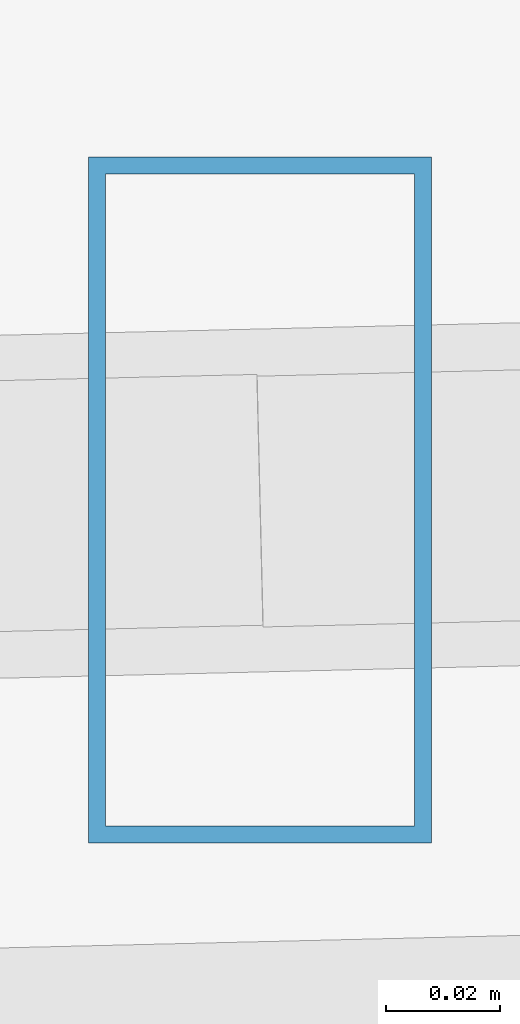
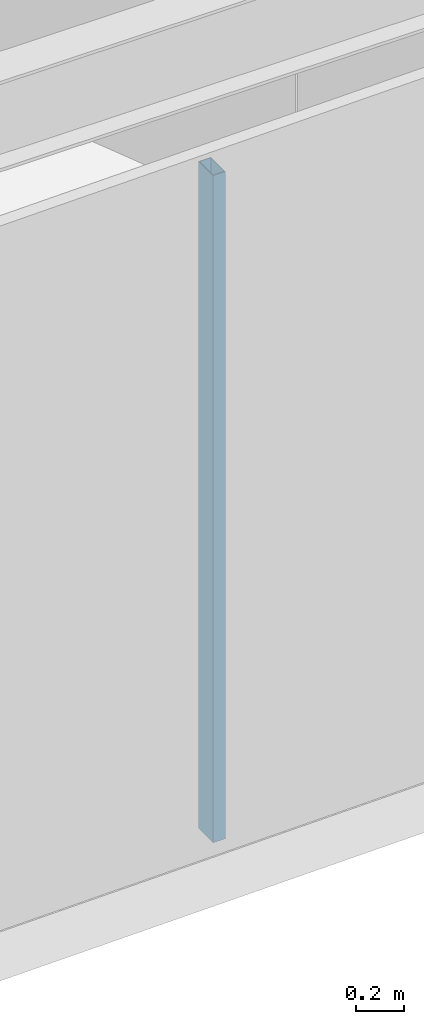
# One storey, part 13 of 48: 1 member, 1 element without a shape of its own.
"""IFC4 building model written with IfcOpenShell, lengths in metres."""

from ifc_helpers import new_model, si_unit, direction, frame, origin, origin_2d, place, context, subcontext, project, spatial, hollow_rectangle, extrude, source, transform, mapped, material, material_profile, profile_set, type_object, type_shapes, element, aggregate, save


model = new_model("IFC4")

# Units and contexts
model_context = context("Model", 3, precision=1e-05, world=origin(), true_north=direction((0.0, 1.0)))
body_context = subcontext(model_context, "Body", "Model", "MODEL_VIEW")
ifc_project = project(units=[si_unit("LENGTHUNIT", "METRE"), si_unit("AREAUNIT", "SQUARE_METRE"), si_unit("VOLUMEUNIT", "CUBIC_METRE"), si_unit("PLANEANGLEUNIT", "RADIAN"), si_unit("MASSUNIT", "GRAM", prefix="KILO")], contexts=[model_context])

# Site, building, storey
site_placement = place(None, origin())
site = spatial("IfcSite", under=ifc_project, at=site_placement, CompositionType="ELEMENT")
building_placement = place(site_placement, origin())
building = spatial("IfcBuilding", under=site, at=building_placement, Name="Caelisora Broadcast Tower", CompositionType="ELEMENT")
storey_placement = place(building_placement, frame((0.0, 0.0, 270.0)))
storey = spatial("IfcBuildingStorey", under=building, at=storey_placement, Name="L71", CompositionType="ELEMENT", Elevation=270.0)

# Curtain wall, member
ifc_material_1 = material(Name="Unitised Aluminium Insulated Shadow-Box Spandrel Curtain Wall", Category="aluminium")
curtain_wall_type = type_object("IfcCurtainWallType", Name="CW-SP3", PredefinedType="NOTDEFINED", material=ifc_material_1)
curtain_wall_placement = place(storey_placement, origin())
curtain_wall = element("IfcCurtainWall", 1, at=curtain_wall_placement, inside=storey, type_object=curtain_wall_type, Name="L71 curtain wall CW-SP3", PredefinedType="NOTDEFINED")
ifc_material_2 = material(Name="Aluminium 6063-T6 Anodised Terracotta Bronze", Category="aluminium")
ifc_material_profile = material_profile(ifc_material_2, hollow_rectangle(XDim=0.06005859375, YDim=0.1201171875, WallThickness=0.0029296875, at=origin_2d()), Name="Aluminium 6063-T6 Anodised Terracotta Bronze")
ifc_profile_set = profile_set([ifc_material_profile], Name="Aluminium 6063-T6 Anodised Terracotta Bronze")
member_type = type_object("IfcMemberType", Name="CWM-04", PredefinedType="MULLION", material=ifc_profile_set)
shared_shape = source(origin(), body_context, "Body", "SweptSolid", [
    extrude(hollow_rectangle(XDim=0.06005859375, YDim=0.1201171875, WallThickness=0.0029296875, at=origin_2d()), origin(), (0.0, 0.0, 1.0), 3.39990234375),
])
type_shapes(member_type, [shared_shape])
member_placement = place(storey_placement, frame((40.236083984375, 8.60205078125, 0.0), z_axis=(0.0, 0.0, 1.0), x_axis=(1.0, 0.0, 0.0)))
member = element("IfcMember", 2, at=member_placement, type_object=member_type, Name="L71-CW-B06 mullion #1", PredefinedType="MULLION", context=body_context, shape_type="MappedRepresentation", body=[
    mapped(shared_shape, transform((0.0, 0.0, 0.0), scale=1.0)),
])
aggregate(curtain_wall, [member])

save(model, "model.ifc")
